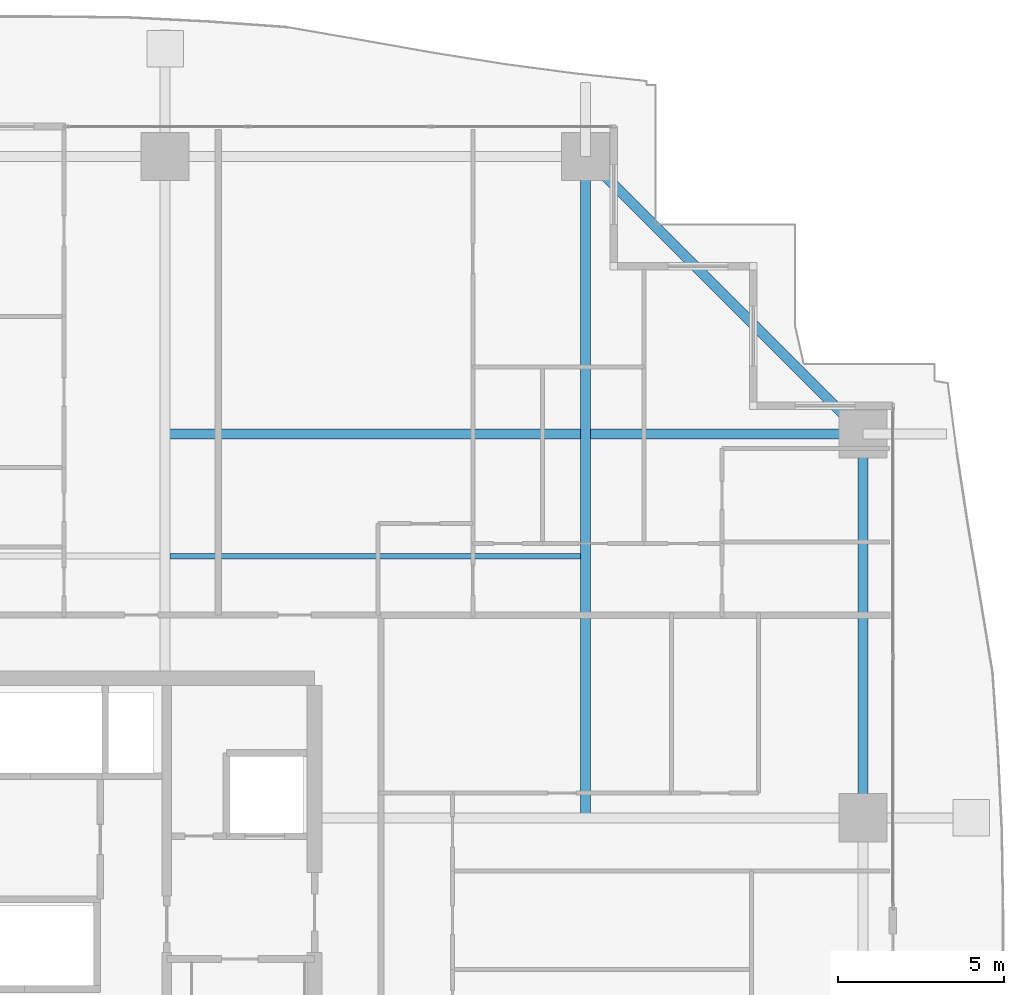
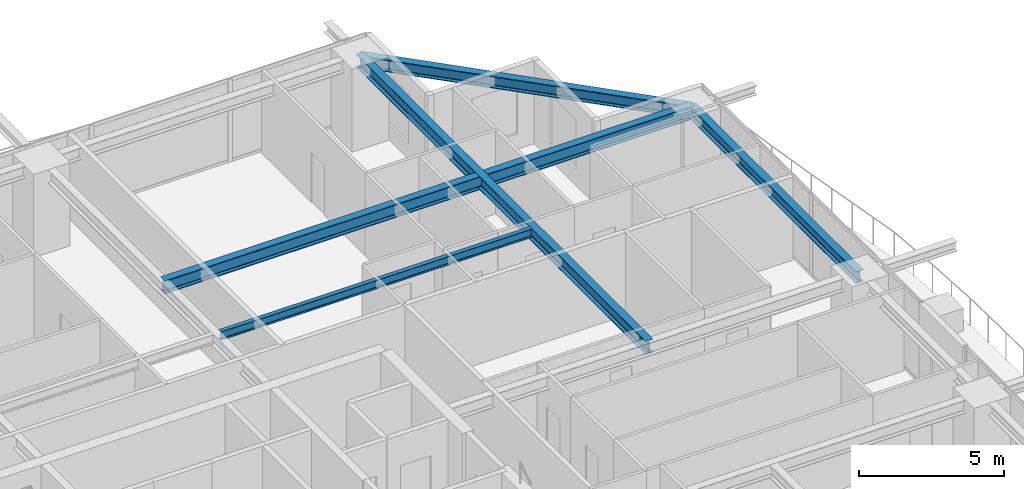
# One storey, part 22 of 38: 5 beams.
"""IFC4 building model written with IfcOpenShell, lengths in metres."""

from ifc_helpers import new_model, si_unit, direction, frame, origin, origin_2d, place, context, subcontext, project, spatial, i_section, extrude, source, transform, mapped, material, material_profile, profile_set, type_object, element, save


model = new_model("IFC4")

# Units and contexts
model_context = context("Model", 3, precision=1e-05, world=origin(), true_north=direction((0.0, 1.0)))
body_context = subcontext(model_context, "Body", "Model", "MODEL_VIEW")
ifc_project = project(units=[si_unit("LENGTHUNIT", "METRE"), si_unit("AREAUNIT", "SQUARE_METRE"), si_unit("VOLUMEUNIT", "CUBIC_METRE"), si_unit("PLANEANGLEUNIT", "RADIAN"), si_unit("MASSUNIT", "GRAM", prefix="KILO")], contexts=[model_context])

# Site, building, storey
site_placement = place(None, origin())
site = spatial("IfcSite", under=ifc_project, at=site_placement, CompositionType="ELEMENT")
building_placement = place(site_placement, origin())
building = spatial("IfcBuilding", under=site, at=building_placement, Name="Serunith Strait Residences", CompositionType="ELEMENT")
storey_placement = place(building_placement, frame((0.0, 0.0, 30.449951171875)))
storey = spatial("IfcBuildingStorey", under=building, at=storey_placement, Name="L06", CompositionType="ELEMENT", Elevation=30.449951171875)

# Beams
ifc_material = material(Name="Steel S355J2", Category="steel")
ifc_material_profile_1 = material_profile(ifc_material, i_section(OverallWidth=0.300048828125, OverallDepth=0.550048828125, WebThickness=0.014892578125, FlangeThickness=0.029052734375, FilletRadius=0.027099609375, at=origin_2d()), Name="HEB 550")
ifc_profile_set_1 = profile_set([ifc_material_profile_1], Name="Steel S355J2")
beam_type_1 = type_object("IfcBeamType", Name="BM-HEB550", PredefinedType="BEAM", material=ifc_profile_set_1)
shared_shape_1 = source(origin(), body_context, "Body", "SweptSolid", [
    extrude(i_section(OverallWidth=0.300048828125, OverallDepth=0.550048828125, WebThickness=0.014892578125, FlangeThickness=0.029052734375, FilletRadius=0.027099609375, at=origin_2d()), origin(), (0.0, 0.0, 1.0), 19.900146484375),
])
beam_1_placement = place(storey_placement, frame((49.550048828125, 29.39990234375, 3.212158203125), z_axis=(0.0, 1.0, 0.0), x_axis=(-1.0, 0.0, 0.0)))
element("IfcBeam", 1, at=beam_1_placement, inside=storey, type_object=beam_type_1, Name="L06 Orthogonal Corner Girder TC-N4", PredefinedType="BEAM", context=body_context, shape_type="MappedRepresentation", body=[
    mapped(shared_shape_1, transform((0.0, 0.0, 0.0), scale=1.0)),
])
shared_shape_2 = source(origin(), body_context, "Body", "SweptSolid", [
    extrude(i_section(OverallWidth=0.300048828125, OverallDepth=0.550048828125, WebThickness=0.014892578125, FlangeThickness=0.029052734375, FilletRadius=0.027099609375, at=origin_2d()), origin(), (0.0, 0.0, 1.0), 21.0),
])
beam_2_placement = place(storey_placement, frame((36.89990234375, 40.949951171875, 3.212158203125), z_axis=(1.0, 0.0, 0.0), x_axis=(0.0, 1.0, 0.0)))
element("IfcBeam", 2, at=beam_2_placement, inside=storey, type_object=beam_type_1, Name="L06 Orthogonal Corner Girder TC-E4", PredefinedType="BEAM", context=body_context, shape_type="MappedRepresentation", body=[
    mapped(shared_shape_2, transform((0.0, 0.0, 0.0), scale=1.0)),
])
ifc_material_profile_2 = material_profile(ifc_material, i_section(OverallWidth=0.300048828125, OverallDepth=0.5, WebThickness=0.014404296875, FlangeThickness=0.028076171875, FilletRadius=0.027099609375, at=origin_2d()), Name="HEB 500")
ifc_profile_set_2 = profile_set([ifc_material_profile_2], Name="Steel S355J2")
beam_type_2 = type_object("IfcBeamType", Name="BM-HEB500", PredefinedType="BEAM", material=ifc_profile_set_2)
shared_shape_3 = source(origin(), body_context, "Body", "SweptSolid", [
    extrude(i_section(OverallWidth=0.300048828125, OverallDepth=0.5, WebThickness=0.014404296875, FlangeThickness=0.028076171875, FilletRadius=0.027099609375, at=origin_2d()), origin(), (0.0, 0.0, 1.0), 11.80859375),
])
beam_3_placement = place(storey_placement, frame((57.89990234375, 40.949951171875, 3.20703125), z_axis=(-0.707096443746, 0.707117118476, 0.0), x_axis=(-0.707117118476, -0.707096443746, 0.0)))
element("IfcBeam", 3, at=beam_3_placement, inside=storey, type_object=beam_type_2, Name="L06 Perimeter Ring Beam 08", PredefinedType="BEAM", context=body_context, shape_type="MappedRepresentation", body=[
    mapped(shared_shape_3, transform((0.0, 0.0, 0.0), scale=1.0)),
])
shared_shape_4 = source(origin(), body_context, "Body", "SweptSolid", [
    extrude(i_section(OverallWidth=0.300048828125, OverallDepth=0.5, WebThickness=0.014404296875, FlangeThickness=0.028076171875, FilletRadius=0.027099609375, at=origin_2d()), origin(), (0.0, 0.0, 1.0), 11.550048828125),
])
beam_4_placement = place(storey_placement, frame((57.89990234375, 29.39990234375, 3.237060546875), z_axis=(0.0, 1.0, 0.0), x_axis=(-1.0, 0.0, 0.0)))
element("IfcBeam", 4, at=beam_4_placement, inside=storey, type_object=beam_type_2, Name="L06 Perimeter Ring Beam 07", PredefinedType="BEAM", context=body_context, shape_type="MappedRepresentation", body=[
    mapped(shared_shape_4, transform((0.0, 0.0, 0.0), scale=1.0)),
])
ifc_material_profile_3 = material_profile(ifc_material, i_section(OverallWidth=0.169921875, OverallDepth=0.360107421875, WebThickness=0.008056640625, FlangeThickness=0.0126953125, FilletRadius=0.01806640625, at=origin_2d()), Name="IPE 360")
ifc_profile_set_3 = profile_set([ifc_material_profile_3], Name="Steel S355J2")
beam_type_3 = type_object("IfcBeamType", Name="BM-IPE360", PredefinedType="JOIST", material=ifc_profile_set_3)
shared_shape_5 = source(origin(), body_context, "Body", "SweptSolid", [
    extrude(i_section(OverallWidth=0.169921875, OverallDepth=0.360107421875, WebThickness=0.008056640625, FlangeThickness=0.0126953125, FilletRadius=0.01806640625, at=origin_2d()), origin(), (0.0, 0.0, 1.0), 12.349853515625),
])
beam_5_placement = place(storey_placement, frame((37.050048828125, 37.27490234375, 3.30712890625), z_axis=(1.0, 0.0, 0.0), x_axis=(0.0, 1.0, 0.0)))
element("IfcBeam", 5, at=beam_5_placement, inside=storey, type_object=beam_type_3, Name="L06 Composite Floor Joist 06", PredefinedType="JOIST", context=body_context, shape_type="MappedRepresentation", body=[
    mapped(shared_shape_5, transform((0.0, 0.0, 0.0), scale=1.0)),
])

save(model, "model.ifc")
